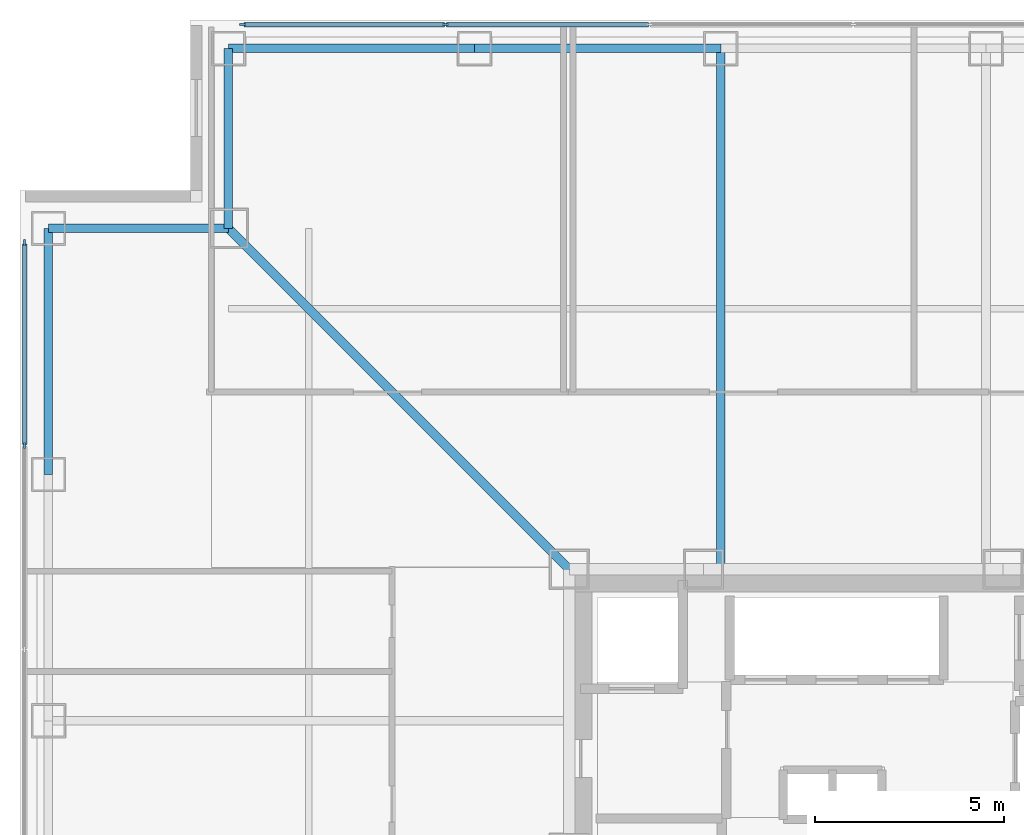
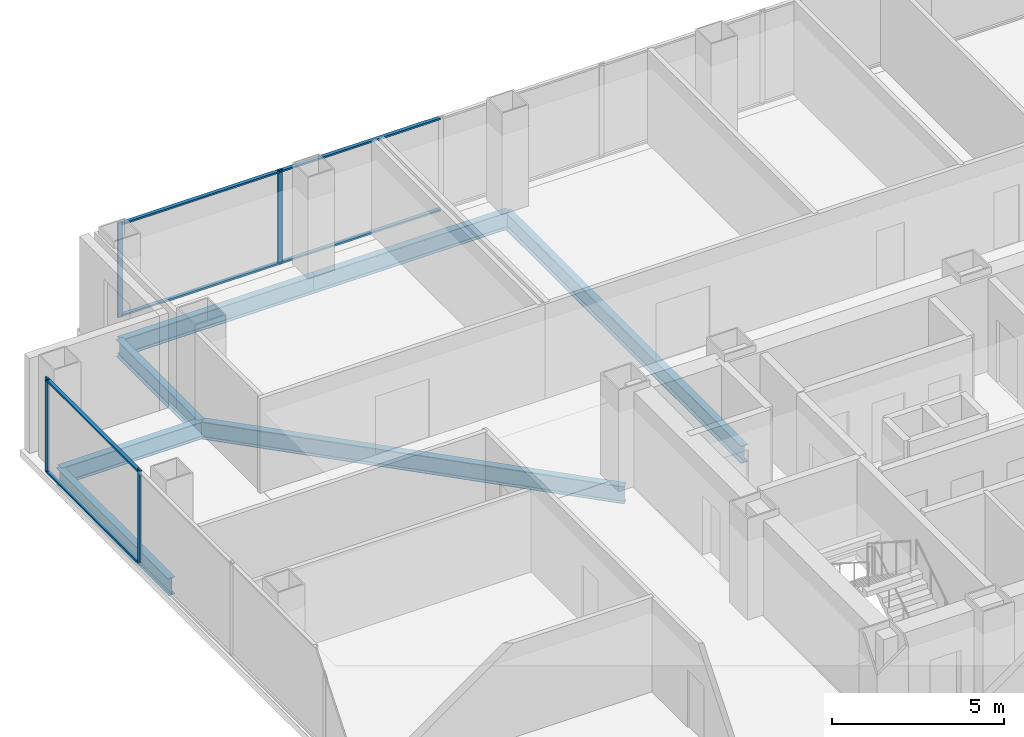
# One storey, part 9 of 17: 10 members, 7 beams, 2 elements without a shape of their own.
"""IFC4 building model written with IfcOpenShell, lengths in metres."""

from ifc_helpers import new_model, si_unit, direction, frame, origin, origin_2d, place, context, subcontext, project, spatial, rectangle, i_section, extrude, material, layer, layer_set, material_profile, profile_set, type_object, element, aggregate, save


model = new_model("IFC4")

# Units and contexts
model_context = context("Model", 3, precision=1e-05, world=origin(), true_north=direction((0.0, 1.0)))
body_context = subcontext(model_context, "Body", "Model", "MODEL_VIEW")
ifc_project = project(units=[si_unit("LENGTHUNIT", "METRE"), si_unit("AREAUNIT", "SQUARE_METRE"), si_unit("VOLUMEUNIT", "CUBIC_METRE"), si_unit("PLANEANGLEUNIT", "RADIAN"), si_unit("MASSUNIT", "GRAM", prefix="KILO")], contexts=[model_context])

# Site, building, storey
site_placement = place(None, origin())
site = spatial("IfcSite", under=ifc_project, at=site_placement, CompositionType="ELEMENT")
building_placement = place(site_placement, origin())
building = spatial("IfcBuilding", under=site, at=building_placement, Name="Trevonay Congress Spire", CompositionType="ELEMENT")
storey_placement = place(building_placement, frame((0.0, 0.0, 130.0)))
storey = spatial("IfcBuildingStorey", under=building, at=storey_placement, Name="L33", CompositionType="ELEMENT", Elevation=130.0)

# Beams
ifc_material_1 = material(Name="Steel ASTM A572 Grade 50", Category="steel")
ifc_material_profile_1 = material_profile(ifc_material_1, i_section(OverallWidth=0.22998046875, OverallDepth=0.616943359375, WebThickness=0.01318359375, FlangeThickness=0.022216796875, FilletRadius=0.01611328125, at=origin_2d()), Name="W610x140")
ifc_profile_set_1 = profile_set([ifc_material_profile_1], Name="Steel ASTM A572 Grade 50")
beam_type_1 = type_object("IfcBeamType", Name="BM-GIRD-W610X140", PredefinedType="BEAM", material=ifc_profile_set_1)
beam_1_placement = place(storey_placement, frame((-7.5, 7.5, -0.548583984375), z_axis=(-0.707106781187, 0.707106781187, 0.0), x_axis=(-0.707106781187, -0.707106781187, 0.0)))
element("IfcBeam", 1, at=beam_1_placement, inside=storey, type_object=beam_type_1, Name="L33 structural beam BM-L33-CDNW", PredefinedType="BEAM", context=body_context, shape_type="SweptSolid", body=[
    extrude(i_section(OverallWidth=0.22998046875, OverallDepth=0.616943359375, WebThickness=0.01318359375, FlangeThickness=0.022216796875, FilletRadius=0.01611328125, at=origin_2d()), origin(), (0.0, 0.0, 1.0), 12.72802734375),
])
beam_2_placement = place(storey_placement, frame((-3.5, 7.5, -0.548583984375), z_axis=(0.0, 1.0, 0.0), x_axis=(-1.0, 0.0, 0.0)))
element("IfcBeam", 2, at=beam_2_placement, inside=storey, type_object=beam_type_1, Name="L33 structural beam BM-L33-GN-M", PredefinedType="BEAM", context=body_context, shape_type="SweptSolid", body=[
    extrude(i_section(OverallWidth=0.22998046875, OverallDepth=0.616943359375, WebThickness=0.01318359375, FlangeThickness=0.022216796875, FilletRadius=0.01611328125, at=origin_2d()), origin(), (0.0, 0.0, 1.0), 13.75),
])
ifc_material_profile_2 = material_profile(ifc_material_1, i_section(OverallWidth=0.22802734375, OverallDepth=0.60791015625, WebThickness=0.01123046875, FlangeThickness=0.017333984375, FilletRadius=0.01611328125, at=origin_2d()), Name="W610x113")
ifc_profile_set_2 = profile_set([ifc_material_profile_2], Name="Steel ASTM A572 Grade 50")
beam_type_2 = type_object("IfcBeamType", Name="BM-RING-W610X113", PredefinedType="BEAM", material=ifc_profile_set_2)
for number, where, z_axis, x_axis, name in (
    (3, (-16.5, 21.25, -0.5439453125), (1.0, 0.0, 0.0), (0.0, 1.0, 0.0), "L33 structural beam BM-L33-PN1"),
    (4, (-10.0, 21.25, -0.5439453125), (1.0, 0.0, 0.0), (0.0, 1.0, 0.0), "L33 structural beam BM-L33-PN2"),
    (5, (-21.25, 10.0, -0.5439453125), (0.0, 1.0, 0.0), (-1.0, 0.0, 0.0), "L33 structural beam BM-L33-PW5"),
):
    element("IfcBeam", number, at=place(storey_placement, frame(where, z_axis=z_axis, x_axis=x_axis)), inside=storey, type_object=beam_type_2, Name=name, PredefinedType="BEAM", context=body_context, shape_type="SweptSolid", body=[
        extrude(i_section(OverallWidth=0.22802734375, OverallDepth=0.60791015625, WebThickness=0.01123046875, FlangeThickness=0.017333984375, FilletRadius=0.01611328125, at=origin_2d()), origin(), (0.0, 0.0, 1.0), 6.5),
    ])
for number, where, z_axis, x_axis, name in (
    (6, (-16.5, 21.25, -0.5439453125), (0.0, -1.0, 0.0), (1.0, 0.0, 0.0), "L33 structural beam BM-L33-N1NW"),
    (7, (-21.25, 16.5, -0.5439453125), (1.0, 0.0, 0.0), (0.0, 1.0, 0.0), "L33 structural beam BM-L33-N2NW"),
):
    element("IfcBeam", number, at=place(storey_placement, frame(where, z_axis=z_axis, x_axis=x_axis)), inside=storey, type_object=beam_type_2, Name=name, PredefinedType="BEAM", context=body_context, shape_type="SweptSolid", body=[
        extrude(i_section(OverallWidth=0.22802734375, OverallDepth=0.60791015625, WebThickness=0.01123046875, FlangeThickness=0.017333984375, FilletRadius=0.01611328125, at=origin_2d()), origin(), (0.0, 0.0, 1.0), 4.75),
    ])

# Curtain wall, members
ifc_material_2 = material(Name="Pale Anodised Aluminium EN AW-6063-T6", Category="aluminium")
ifc_layer = layer(ifc_material_2, 0.175048828125, Name="Pale Anodised Aluminium EN AW-6063-T6")
ifc_layer_set = layer_set([ifc_layer], Name="Pale Anodised Aluminium EN AW-6063-T6")
curtain_wall_type = type_object("IfcCurtainWallType", Name="CW-SYS03-CONGRESS-PALE-METAL", PredefinedType="NOTDEFINED", material=ifc_layer_set)
curtain_wall_1_placement = place(storey_placement, origin())
curtain_wall_1 = element("IfcCurtainWall", 8, at=curtain_wall_1_placement, inside=storey, type_object=curtain_wall_type, Name="L33 N unitised curtain wall", PredefinedType="NOTDEFINED")
ifc_material_profile_3 = material_profile(ifc_material_2, rectangle(XDim=0.06005859375, YDim=0.159912109375, at=origin_2d()), Name="CW-MULLION-160-ALUMINIUM")
ifc_profile_set_3 = profile_set([ifc_material_profile_3], Name="Pale Anodised Aluminium EN AW-6063-T6")
member_type_1 = type_object("IfcMemberType", Name="CW-MULLION-160-ALUMINIUM", PredefinedType="MULLION", material=ifc_profile_set_3)
member_1_placement = place(storey_placement, frame((-16.1201171875, 21.8798828125, 0.0), z_axis=(0.0, 0.0, 1.0), x_axis=(0.0, 1.0, 0.0)))
member_1 = element("IfcMember", 9, at=member_1_placement, type_object=member_type_1, Name="CW03 mullion 1", PredefinedType="MULLION", context=body_context, shape_type="SweptSolid", body=[
    extrude(rectangle(XDim=0.06005859375, YDim=0.159912109375, at=origin_2d()), origin(), (0.0, 0.0, 1.0), 3.360107421875),
])
member_2_placement = place(storey_placement, frame((-10.7666015625, 21.8798828125, 0.0), z_axis=(0.0, 0.0, 1.0), x_axis=(0.0, 1.0, 0.0)))
member_2 = element("IfcMember", 10, at=member_2_placement, type_object=member_type_1, Name="CW03 mullion 2", PredefinedType="MULLION", context=body_context, shape_type="SweptSolid", body=[
    extrude(rectangle(XDim=0.06005859375, YDim=0.159912109375, at=origin_2d()), origin(), (0.0, 0.0, 1.0), 3.360107421875),
])

curtain_wall_2_placement = place(storey_placement, origin())
curtain_wall_2 = element("IfcCurtainWall", 11, at=curtain_wall_2_placement, inside=storey, type_object=curtain_wall_type, Name="L33 W unitised curtain wall", PredefinedType="NOTDEFINED")
member_3_placement = place(storey_placement, frame((-21.8798828125, 10.7666015625, 0.0), z_axis=(0.0, 0.0, 1.0), x_axis=(-1.0, 0.0, 0.0)))
member_3 = element("IfcMember", 12, at=member_3_placement, type_object=member_type_1, Name="CW03 mullion 6", PredefinedType="MULLION", context=body_context, shape_type="SweptSolid", body=[
    extrude(rectangle(XDim=0.06005859375, YDim=0.159912109375, at=origin_2d()), origin(), (0.0, 0.0, 1.0), 3.360107421875),
])
member_4_placement = place(storey_placement, frame((-21.8798828125, 16.1201171875, 0.0), z_axis=(0.0, 0.0, 1.0), x_axis=(-1.0, 0.0, 0.0)))
member_4 = element("IfcMember", 13, at=member_4_placement, type_object=member_type_1, Name="CW03 mullion 7", PredefinedType="MULLION", context=body_context, shape_type="SweptSolid", body=[
    extrude(rectangle(XDim=0.06005859375, YDim=0.159912109375, at=origin_2d()), origin(), (0.0, 0.0, 1.0), 3.360107421875),
])

# Member
ifc_material_profile_4 = material_profile(ifc_material_2, rectangle(XDim=0.1201171875, YDim=0.06005859375, at=origin_2d()), Name="CW-TRANSOM-120-ALUMINIUM")
ifc_profile_set_4 = profile_set([ifc_material_profile_4], Name="Pale Anodised Aluminium EN AW-6063-T6")
member_type_2 = type_object("IfcMemberType", Name="CW-TRANSOM-120-ALUMINIUM", PredefinedType="USERDEFINED", material=ifc_profile_set_4)
member_5_placement = place(storey_placement, frame((-16.090087890625, 21.8798828125, 0.06005859375), z_axis=(1.0, 0.0, 0.0), x_axis=(0.0, 1.0, 0.0)))
member_5 = element("IfcMember", 14, at=member_5_placement, type_object=member_type_2, Name="CW03 transom 1.1", ObjectType="TRANSOM", PredefinedType="USERDEFINED", context=body_context, shape_type="SweptSolid", body=[
    extrude(rectangle(XDim=0.1201171875, YDim=0.06005859375, at=origin_2d()), origin(), (0.0, 0.0, 1.0), 5.29345703125),
])

member_6_placement = place(storey_placement, frame((-16.090087890625, 21.8798828125, 3.300048828125), z_axis=(1.0, 0.0, 0.0), x_axis=(0.0, 1.0, 0.0)))
member_6 = element("IfcMember", 15, at=member_6_placement, type_object=member_type_2, Name="CW03 transom 1.2", ObjectType="TRANSOM", PredefinedType="USERDEFINED", context=body_context, shape_type="SweptSolid", body=[
    extrude(rectangle(XDim=0.1201171875, YDim=0.06005859375, at=origin_2d()), origin(), (0.0, 0.0, 1.0), 5.29345703125),
])

member_7_placement = place(storey_placement, frame((-10.736572265625, 21.8798828125, 0.06005859375), z_axis=(1.0, 0.0, 0.0), x_axis=(0.0, 1.0, 0.0)))
member_7 = element("IfcMember", 16, at=member_7_placement, type_object=member_type_2, Name="CW03 transom 2.1", ObjectType="TRANSOM", PredefinedType="USERDEFINED", context=body_context, shape_type="SweptSolid", body=[
    extrude(rectangle(XDim=0.1201171875, YDim=0.06005859375, at=origin_2d()), origin(), (0.0, 0.0, 1.0), 5.3232421875),
])

member_8_placement = place(storey_placement, frame((-10.736572265625, 21.8798828125, 3.300048828125), z_axis=(1.0, 0.0, 0.0), x_axis=(0.0, 1.0, 0.0)))
member_8 = element("IfcMember", 17, at=member_8_placement, type_object=member_type_2, Name="CW03 transom 2.2", ObjectType="TRANSOM", PredefinedType="USERDEFINED", context=body_context, shape_type="SweptSolid", body=[
    extrude(rectangle(XDim=0.1201171875, YDim=0.06005859375, at=origin_2d()), origin(), (0.0, 0.0, 1.0), 5.3232421875),
])

aggregate(curtain_wall_1, [member_1, member_2, member_5, member_6, member_7, member_8])

member_9_placement = place(storey_placement, frame((-21.8798828125, 10.796630859375, 0.06005859375), z_axis=(0.0, 1.0, 0.0), x_axis=(-1.0, 0.0, 0.0)))
member_9 = element("IfcMember", 18, at=member_9_placement, type_object=member_type_2, Name="CW03 transom 6.1", ObjectType="TRANSOM", PredefinedType="USERDEFINED", context=body_context, shape_type="SweptSolid", body=[
    extrude(rectangle(XDim=0.1201171875, YDim=0.06005859375, at=origin_2d()), origin(), (0.0, 0.0, 1.0), 5.29345703125),
])

member_10_placement = place(storey_placement, frame((-21.8798828125, 10.796630859375, 3.300048828125), z_axis=(0.0, 1.0, 0.0), x_axis=(-1.0, 0.0, 0.0)))
member_10 = element("IfcMember", 19, at=member_10_placement, type_object=member_type_2, Name="CW03 transom 6.2", ObjectType="TRANSOM", PredefinedType="USERDEFINED", context=body_context, shape_type="SweptSolid", body=[
    extrude(rectangle(XDim=0.1201171875, YDim=0.06005859375, at=origin_2d()), origin(), (0.0, 0.0, 1.0), 5.29345703125),
])

aggregate(curtain_wall_2, [member_3, member_4, member_9, member_10])

save(model, "model.ifc")
